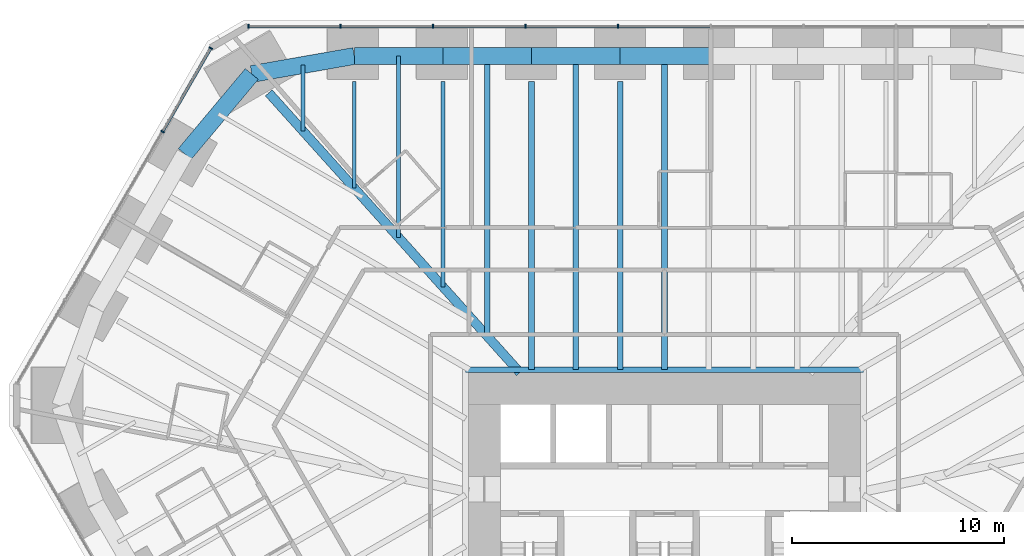
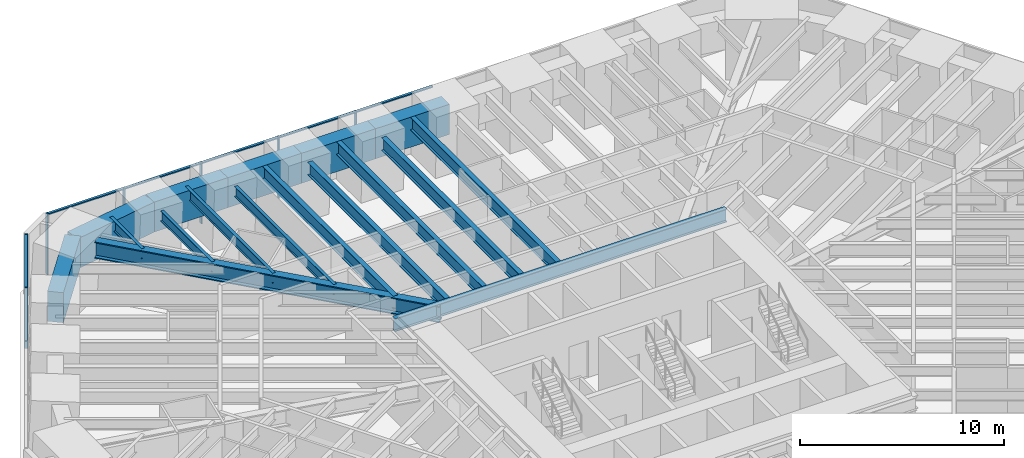
# One storey, part 8 of 17: 17 beams, 13 members, 2 elements without a shape of their own.
"""IFC4 building model written with IfcOpenShell, lengths in metres."""

from ifc_helpers import new_model, si_unit, direction, frame, origin, origin_2d, place, context, subcontext, project, spatial, rectangle, i_section, extrude, material, material_profile, profile_set, type_object, element, aggregate, save


model = new_model("IFC4")

# Units and contexts
model_context = context("Model", 3, precision=1e-05, world=origin(), true_north=direction((0.0, 1.0)))
body_context = subcontext(model_context, "Body", "Model", "MODEL_VIEW")
ifc_project = project(units=[si_unit("LENGTHUNIT", "METRE"), si_unit("AREAUNIT", "SQUARE_METRE"), si_unit("VOLUMEUNIT", "CUBIC_METRE"), si_unit("PLANEANGLEUNIT", "RADIAN"), si_unit("MASSUNIT", "GRAM", prefix="KILO")], contexts=[model_context])

# Site, building, storey
site_placement = place(None, origin())
site = spatial("IfcSite", under=ifc_project, at=site_placement, CompositionType="ELEMENT")
building_placement = place(site_placement, origin())
building = spatial("IfcBuilding", under=site, at=building_placement, Name="Sandreach Pilgrim Tower", CompositionType="ELEMENT")
storey_placement = place(building_placement, frame((0.0, 0.0, 57.199951171875)))
storey = spatial("IfcBuildingStorey", under=building, at=storey_placement, Name="L13", CompositionType="ELEMENT", Elevation=57.199951171875)

# Curtain wall, members
ifc_material_1 = material(Name="Aluminium framed curtain wall", Category="aluminium")
curtain_wall_type = type_object("IfcCurtainWallType", Name="Hostel tower curtain wall", PredefinedType="NOTDEFINED", material=ifc_material_1)
curtain_wall_1_placement = place(storey_placement, origin())
curtain_wall_1 = element("IfcCurtainWall", 1, at=curtain_wall_1_placement, inside=storey, type_object=curtain_wall_type, Name="CW-1 L13 N", PredefinedType="NOTDEFINED")
ifc_material_2 = material(Name="Aluminium extrusion", Category="aluminium")
ifc_material_profile_1 = material_profile(ifc_material_2, rectangle(XDim=0.06494140625, YDim=0.179931640625, at=origin_2d()), Name="CW-1M 65X180")
ifc_profile_set_1 = profile_set([ifc_material_profile_1], Name="Aluminium extrusion")
member_type_1 = type_object("IfcMemberType", Name="CW-1 mullion", PredefinedType="MULLION", material=ifc_profile_set_1)
member_1_placement = place(storey_placement, frame((-19.6396484375, 23.94873046875, 0.0), z_axis=(0.0, 0.0, 1.0), x_axis=(1.0, 0.0, 0.0)))
member_1 = element("IfcMember", 2, at=member_1_placement, type_object=member_type_1, Name="CW-1 mullion 1", PredefinedType="MULLION", context=body_context, shape_type="SweptSolid", body=[
    extrude(rectangle(XDim=0.06494140625, YDim=0.179931640625, at=origin_2d()), origin(), (0.0, 0.0, 1.0), 3.64013671875),
])
member_2_placement = place(storey_placement, frame((-15.300537109375, 23.94873046875, 0.0), z_axis=(0.0, 0.0, 1.0), x_axis=(1.0, 0.0, 0.0)))
member_2 = element("IfcMember", 3, at=member_2_placement, type_object=member_type_1, Name="CW-1 mullion 2", PredefinedType="MULLION", context=body_context, shape_type="SweptSolid", body=[
    extrude(rectangle(XDim=0.06494140625, YDim=0.179931640625, at=origin_2d()), origin(), (0.0, 0.0, 1.0), 3.64013671875),
])
member_3_placement = place(storey_placement, frame((-10.928955078125, 23.94873046875, 0.0), z_axis=(0.0, 0.0, 1.0), x_axis=(1.0, 0.0, 0.0)))
member_3 = element("IfcMember", 4, at=member_3_placement, type_object=member_type_1, Name="CW-1 mullion 3", PredefinedType="MULLION", context=body_context, shape_type="SweptSolid", body=[
    extrude(rectangle(XDim=0.06494140625, YDim=0.179931640625, at=origin_2d()), origin(), (0.0, 0.0, 1.0), 3.64013671875),
])
member_4_placement = place(storey_placement, frame((-6.557373046875, 23.94873046875, 0.0), z_axis=(0.0, 0.0, 1.0), x_axis=(1.0, 0.0, 0.0)))
member_4 = element("IfcMember", 5, at=member_4_placement, type_object=member_type_1, Name="CW-1 mullion 4", PredefinedType="MULLION", context=body_context, shape_type="SweptSolid", body=[
    extrude(rectangle(XDim=0.06494140625, YDim=0.179931640625, at=origin_2d()), origin(), (0.0, 0.0, 1.0), 3.64013671875),
])
member_5_placement = place(storey_placement, frame((-2.185791015625, 23.94873046875, 0.0), z_axis=(0.0, 0.0, 1.0), x_axis=(1.0, 0.0, 0.0)))
member_5 = element("IfcMember", 6, at=member_5_placement, type_object=member_type_1, Name="CW-1 mullion 5", PredefinedType="MULLION", context=body_context, shape_type="SweptSolid", body=[
    extrude(rectangle(XDim=0.06494140625, YDim=0.179931640625, at=origin_2d()), origin(), (0.0, 0.0, 1.0), 3.64013671875),
])

curtain_wall_2_placement = place(storey_placement, origin())
curtain_wall_2 = element("IfcCurtainWall", 7, at=curtain_wall_2_placement, inside=storey, type_object=curtain_wall_type, Name="CW-1 L13 NW", PredefinedType="NOTDEFINED")
member_6_placement = place(storey_placement, frame((-23.697265625, 18.97705078125, 0.0), z_axis=(0.0, 0.0, 1.0), x_axis=(0.5, 0.866025403784, 0.0)))
member_6 = element("IfcMember", 8, at=member_6_placement, type_object=member_type_1, Name="CW-1 mullion 4", PredefinedType="MULLION", context=body_context, shape_type="SweptSolid", body=[
    extrude(rectangle(XDim=0.06494140625, YDim=0.179931640625, at=origin_2d()), origin(), (0.0, 0.0, 1.0), 3.64013671875),
])
member_7_placement = place(storey_placement, frame((-21.42041015625, 22.920654296875, 0.0), z_axis=(0.0, 0.0, 1.0), x_axis=(0.5, 0.866025403784, 0.0)))
member_7 = element("IfcMember", 9, at=member_7_placement, type_object=member_type_1, Name="CW-1 mullion 5", PredefinedType="MULLION", context=body_context, shape_type="SweptSolid", body=[
    extrude(rectangle(XDim=0.06494140625, YDim=0.179931640625, at=origin_2d()), origin(), (0.0, 0.0, 1.0), 3.64013671875),
])

# Member
ifc_material_3 = material(Name="Aluminium extrusion", Category="aluminium")
ifc_material_profile_2 = material_profile(ifc_material_3, rectangle(XDim=0.139892578125, YDim=0.070068359375, at=origin_2d()), Name="CW-1T 140X70")
ifc_profile_set_2 = profile_set([ifc_material_profile_2], Name="Aluminium extrusion")
member_type_2 = type_object("IfcMemberType", Name="CW-1 transom", PredefinedType="USERDEFINED", material=ifc_profile_set_2)
member_8_placement = place(storey_placement, frame((-19.607177734375, 23.94873046875, 3.60498046875), z_axis=(1.0, 0.0, 0.0), x_axis=(0.0, 1.0, 0.0)))
member_8 = element("IfcMember", 10, at=member_8_placement, type_object=member_type_2, Name="CW-1 head transom 1", ObjectType="TRANSOM", PredefinedType="USERDEFINED", context=body_context, shape_type="SweptSolid", body=[
    extrude(rectangle(XDim=0.139892578125, YDim=0.070068359375, at=origin_2d()), origin(), (0.0, 0.0, 1.0), 4.274169921875),
])

member_9_placement = place(storey_placement, frame((-15.26806640625, 23.94873046875, 3.60498046875), z_axis=(1.0, 0.0, 0.0), x_axis=(0.0, 1.0, 0.0)))
member_9 = element("IfcMember", 11, at=member_9_placement, type_object=member_type_2, Name="CW-1 head transom 2", ObjectType="TRANSOM", PredefinedType="USERDEFINED", context=body_context, shape_type="SweptSolid", body=[
    extrude(rectangle(XDim=0.139892578125, YDim=0.070068359375, at=origin_2d()), origin(), (0.0, 0.0, 1.0), 4.306640625),
])

member_10_placement = place(storey_placement, frame((-10.896484375, 23.94873046875, 3.60498046875), z_axis=(1.0, 0.0, 0.0), x_axis=(0.0, 1.0, 0.0)))
member_10 = element("IfcMember", 12, at=member_10_placement, type_object=member_type_2, Name="CW-1 head transom 3", ObjectType="TRANSOM", PredefinedType="USERDEFINED", context=body_context, shape_type="SweptSolid", body=[
    extrude(rectangle(XDim=0.139892578125, YDim=0.070068359375, at=origin_2d()), origin(), (0.0, 0.0, 1.0), 4.306640625),
])

member_11_placement = place(storey_placement, frame((-6.52490234375, 23.94873046875, 3.60498046875), z_axis=(1.0, 0.0, 0.0), x_axis=(0.0, 1.0, 0.0)))
member_11 = element("IfcMember", 13, at=member_11_placement, type_object=member_type_2, Name="CW-1 head transom 4", ObjectType="TRANSOM", PredefinedType="USERDEFINED", context=body_context, shape_type="SweptSolid", body=[
    extrude(rectangle(XDim=0.139892578125, YDim=0.070068359375, at=origin_2d()), origin(), (0.0, 0.0, 1.0), 4.306640625),
])

member_12_placement = place(storey_placement, frame((-2.1533203125, 23.94873046875, 3.60498046875), z_axis=(1.0, 0.0, 0.0), x_axis=(0.0, 1.0, 0.0)))
member_12 = element("IfcMember", 14, at=member_12_placement, type_object=member_type_2, Name="CW-1 head transom 5", ObjectType="TRANSOM", PredefinedType="USERDEFINED", context=body_context, shape_type="SweptSolid", body=[
    extrude(rectangle(XDim=0.139892578125, YDim=0.070068359375, at=origin_2d()), origin(), (0.0, 0.0, 1.0), 4.306640625),
])

aggregate(curtain_wall_1, [member_1, member_2, member_3, member_4, member_5, member_8, member_9, member_10, member_11, member_12])

member_13_placement = place(storey_placement, frame((-23.680908203125, 19.005126953125, 3.60498046875), z_axis=(0.500017500808, 0.866015299452, 0.0), x_axis=(-0.866015299452, 0.500017500808, 0.0)))
member_13 = element("IfcMember", 15, at=member_13_placement, type_object=member_type_2, Name="CW-1 head transom 4", ObjectType="TRANSOM", PredefinedType="USERDEFINED", context=body_context, shape_type="SweptSolid", body=[
    extrude(rectangle(XDim=0.139892578125, YDim=0.070068359375, at=origin_2d()), origin(), (0.0, 0.0, 1.0), 4.488525390625),
])

aggregate(curtain_wall_2, [member_6, member_7, member_13])

# Beams
ifc_material_4 = material(Name="Steel ASTM A992 Grade 50", Category="steel")
ifc_material_profile_3 = material_profile(ifc_material_4, i_section(OverallWidth=0.2666015625, OverallDepth=0.77978515625, WebThickness=0.0166015625, FlangeThickness=0.030029296875, at=origin_2d()), Name="W30X148")
ifc_profile_set_3 = profile_set([ifc_material_profile_3], Name="Steel ASTM A992 Grade 50")
beam_type_1 = type_object("IfcBeamType", Name="Core edge beam W30X148", PredefinedType="BEAM", material=ifc_profile_set_3)
beam_1_placement = place(storey_placement, frame((-9.393310546875, 7.743408203125, 3.250244140625), z_axis=(1.0, 0.0, 0.0), x_axis=(0.0, 1.0, 0.0)))
element("IfcBeam", 16, at=beam_1_placement, inside=storey, type_object=beam_type_1, Name="BM L13 CEN", PredefinedType="BEAM", context=body_context, shape_type="SweptSolid", body=[
    extrude(i_section(OverallWidth=0.2666015625, OverallDepth=0.77978515625, WebThickness=0.0166015625, FlangeThickness=0.030029296875, at=origin_2d()), origin(), (0.0, 0.0, 1.0), 18.78662109375),
])
ifc_material_5 = material(Name="Steel ASTM A992 Grade 50", Category="steel")
ifc_material_profile_4 = material_profile(ifc_material_5, i_section(OverallWidth=0.431884765625, OverallDepth=0.988037109375, WebThickness=0.034423828125, FlangeThickness=0.06201171875, at=origin_2d()), Name="W36X441")
ifc_profile_set_4 = profile_set([ifc_material_profile_4], Name="Steel ASTM A992 Grade 50")
beam_type_2 = type_object("IfcBeamType", Name="Corner girder W36X441", PredefinedType="BEAM", material=ifc_profile_set_4)
beam_2_placement = place(storey_placement, frame((-18.68310546875, 20.806640625, 3.14599609375), z_axis=(0.668123819585, -0.744050106984, 0.0), x_axis=(0.744050106984, 0.668123819585, 0.0)))
element("IfcBeam", 17, at=beam_2_placement, inside=storey, type_object=beam_type_2, Name="BM L13 CG39", PredefinedType="BEAM", context=body_context, shape_type="SweptSolid", body=[
    extrude(i_section(OverallWidth=0.431884765625, OverallDepth=0.988037109375, WebThickness=0.034423828125, FlangeThickness=0.06201171875, at=origin_2d()), origin(), (0.0, 0.0, 1.0), 17.74951171875),
])
ifc_material_6 = material(Name="Steel ASTM A992 Grade 50", Category="steel")
ifc_material_profile_5 = material_profile(ifc_material_6, i_section(OverallWidth=0.1787109375, OverallDepth=0.60205078125, WebThickness=0.010986328125, FlangeThickness=0.014892578125, at=origin_2d()), Name="W24X62")
ifc_profile_set_5 = profile_set([ifc_material_profile_5], Name="Steel ASTM A992 Grade 50")
beam_type_3 = type_object("IfcBeamType", Name="Floor beam W24X62", PredefinedType="BEAM", material=ifc_profile_set_5)
beam_3_placement = place(storey_placement, frame((-14.64404296875, 21.34912109375, 3.339111328125), z_axis=(0.0, -1.0, 0.0), x_axis=(1.0, 0.0, 0.0)))
element("IfcBeam", 18, at=beam_3_placement, inside=storey, type_object=beam_type_3, Name="BM L13 F01", PredefinedType="BEAM", context=body_context, shape_type="SweptSolid", body=[
    extrude(i_section(OverallWidth=0.1787109375, OverallDepth=0.60205078125, WebThickness=0.010986328125, FlangeThickness=0.014892578125, at=origin_2d()), origin(), (0.0, 0.0, 1.0), 5.04052734375),
])
beam_4_placement = place(storey_placement, frame((-10.4599609375, 21.34912109375, 3.339111328125), z_axis=(0.0, -1.0, 0.0), x_axis=(1.0, 0.0, 0.0)))
element("IfcBeam", 19, at=beam_4_placement, inside=storey, type_object=beam_type_3, Name="BM L13 F02", PredefinedType="BEAM", context=body_context, shape_type="SweptSolid", body=[
    extrude(i_section(OverallWidth=0.1787109375, OverallDepth=0.60205078125, WebThickness=0.010986328125, FlangeThickness=0.014892578125, at=origin_2d()), origin(), (0.0, 0.0, 1.0), 9.7001953125),
])
beam_5_placement = place(storey_placement, frame((-12.552001953125, 22.549072265625, 3.339111328125), z_axis=(0.0, -1.0, 0.0), x_axis=(1.0, 0.0, 0.0)))
element("IfcBeam", 20, at=beam_5_placement, inside=storey, type_object=beam_type_3, Name="BM L13 FM01", PredefinedType="BEAM", context=body_context, shape_type="SweptSolid", body=[
    extrude(i_section(OverallWidth=0.1787109375, OverallDepth=0.60205078125, WebThickness=0.010986328125, FlangeThickness=0.014892578125, at=origin_2d()), origin(), (0.0, 0.0, 1.0), 8.5703125),
])
beam_6_placement = place(storey_placement, frame((-17.064453125, 22.124267578125, 3.339111328125), z_axis=(0.0, -1.0, 0.0), x_axis=(1.0, 0.0, 0.0)))
element("IfcBeam", 21, at=beam_6_placement, inside=storey, type_object=beam_type_3, Name="BM L13 FM39", PredefinedType="BEAM", context=body_context, shape_type="SweptSolid", body=[
    extrude(i_section(OverallWidth=0.1787109375, OverallDepth=0.60205078125, WebThickness=0.010986328125, FlangeThickness=0.014892578125, at=origin_2d()), origin(), (0.0, 0.0, 1.0), 3.120361328125),
])
ifc_material_7 = material(Name="Steel ASTM A992 Grade 50", Category="steel")
ifc_material_profile_6 = material_profile(ifc_material_7, i_section(OverallWidth=0.2666015625, OverallDepth=0.761962890625, WebThickness=0.014404296875, FlangeThickness=0.021484375, at=origin_2d()), Name="W30X116")
ifc_profile_set_6 = profile_set([ifc_material_profile_6], Name="Steel ASTM A992 Grade 50")
beam_type_4 = type_object("IfcBeamType", Name="Floor beam W30X116", PredefinedType="BEAM", material=ifc_profile_set_6)
for number, where, z_axis, x_axis, name in (
    (22, (-6.276123046875, 21.34912109375, 3.259033203125), (0.0, -1.0, 0.0), (1.0, 0.0, 0.0), "BM L13 F03"),
    (23, (-2.092041015625, 21.34912109375, 3.259033203125), (0.0, -1.0, 0.0), (1.0, 0.0, 0.0), "BM L13 F04"),
):
    element("IfcBeam", number, at=place(storey_placement, frame(where, z_axis=z_axis, x_axis=x_axis)), inside=storey, type_object=beam_type_4, Name=name, PredefinedType="BEAM", context=body_context, shape_type="SweptSolid", body=[
        extrude(i_section(OverallWidth=0.2666015625, OverallDepth=0.761962890625, WebThickness=0.014404296875, FlangeThickness=0.021484375, at=origin_2d()), origin(), (0.0, 0.0, 1.0), 13.605712890625),
    ])
beam_7_placement = place(storey_placement, frame((-8.367919921875, 22.549072265625, 3.259033203125), z_axis=(0.0, -1.0, 0.0), x_axis=(1.0, 0.0, 0.0)))
element("IfcBeam", 24, at=beam_7_placement, inside=storey, type_object=beam_type_4, Name="BM L13 FM02", PredefinedType="BEAM", context=body_context, shape_type="SweptSolid", body=[
    extrude(i_section(OverallWidth=0.2666015625, OverallDepth=0.761962890625, WebThickness=0.014404296875, FlangeThickness=0.021484375, at=origin_2d()), origin(), (0.0, 0.0, 1.0), 13.22998046875),
])
for number, where, z_axis, x_axis, name in (
    (25, (-4.18408203125, 22.549072265625, 3.259033203125), (0.0, -1.0, 0.0), (1.0, 0.0, 0.0), "BM L13 FM03"),
    (26, (0.0, 22.549072265625, 3.259033203125), (0.0, -1.0, 0.0), (1.0, 0.0, 0.0), "BM L13 FM04"),
):
    element("IfcBeam", number, at=place(storey_placement, frame(where, z_axis=z_axis, x_axis=x_axis)), inside=storey, type_object=beam_type_4, Name=name, PredefinedType="BEAM", context=body_context, shape_type="SweptSolid", body=[
        extrude(i_section(OverallWidth=0.2666015625, OverallDepth=0.761962890625, WebThickness=0.014404296875, FlangeThickness=0.021484375, at=origin_2d()), origin(), (0.0, 0.0, 1.0), 14.8056640625),
    ])
ifc_material_8 = material(Name="Concrete 10000 psi", Category="concrete")
ifc_material_profile_7 = material_profile(ifc_material_8, rectangle(XDim=0.800048828125, YDim=1.800048828125, at=origin_2d()), Name="RC800X1800")
ifc_profile_set_7 = profile_set([ifc_material_profile_7], Name="Concrete 10000 psi")
beam_type_5 = type_object("IfcBeamType", Name="Spandrel beam RC800X1800", PredefinedType="SPANDREL", material=ifc_profile_set_7)
beam_8_placement = place(storey_placement, frame((-14.64404296875, 22.549072265625, 2.739990234375), z_axis=(1.0, 0.0, 0.0), x_axis=(0.0, 1.0, 0.0)))
element("IfcBeam", 27, at=beam_8_placement, inside=storey, type_object=beam_type_5, Name="BM L13 SP01", PredefinedType="SPANDREL", context=body_context, shape_type="SweptSolid", body=[
    extrude(rectangle(XDim=0.800048828125, YDim=1.800048828125, at=origin_2d()), origin(), (0.0, 0.0, 1.0), 4.18408203125),
])
beam_9_placement = place(storey_placement, frame((-10.4599609375, 22.549072265625, 2.739990234375), z_axis=(1.0, 0.0, 0.0), x_axis=(0.0, 1.0, 0.0)))
element("IfcBeam", 28, at=beam_9_placement, inside=storey, type_object=beam_type_5, Name="BM L13 SP02", PredefinedType="SPANDREL", context=body_context, shape_type="SweptSolid", body=[
    extrude(rectangle(XDim=0.800048828125, YDim=1.800048828125, at=origin_2d()), origin(), (0.0, 0.0, 1.0), 4.183837890625),
])
for number, where, z_axis, x_axis, name in (
    (29, (-6.276123046875, 22.549072265625, 2.739990234375), (1.0, 0.0, 0.0), (0.0, 1.0, 0.0), "BM L13 SP03"),
    (30, (-2.092041015625, 22.549072265625, 2.739990234375), (1.0, 0.0, 0.0), (0.0, 1.0, 0.0), "BM L13 SP04"),
):
    element("IfcBeam", number, at=place(storey_placement, frame(where, z_axis=z_axis, x_axis=x_axis)), inside=storey, type_object=beam_type_5, Name=name, PredefinedType="SPANDREL", context=body_context, shape_type="SweptSolid", body=[
        extrude(rectangle(XDim=0.800048828125, YDim=1.800048828125, at=origin_2d()), origin(), (0.0, 0.0, 1.0), 4.18408203125),
    ])
beam_10_placement = place(storey_placement, frame((-22.6494140625, 17.922607421875, 2.739990234375), z_axis=(0.642238745874, 0.766504659672, 0.0), x_axis=(-0.766504659672, 0.642238745874, 0.0)))
element("IfcBeam", 31, at=beam_10_placement, inside=storey, type_object=beam_type_5, Name="BM L13 SP38", PredefinedType="SPANDREL", context=body_context, shape_type="SweptSolid", body=[
    extrude(rectangle(XDim=0.800048828125, YDim=1.800048828125, at=origin_2d()), origin(), (0.0, 0.0, 1.0), 4.927490234375),
])
beam_11_placement = place(storey_placement, frame((-19.48486328125, 21.699462890625, 2.739990234375), z_axis=(0.984945156225, 0.172867114367, 0.0), x_axis=(-0.172867114367, 0.984945156225, 0.0)))
element("IfcBeam", 32, at=beam_11_placement, inside=storey, type_object=beam_type_5, Name="BM L13 SP39", PredefinedType="SPANDREL", context=body_context, shape_type="SweptSolid", body=[
    extrude(rectangle(XDim=0.800048828125, YDim=1.800048828125, at=origin_2d()), origin(), (0.0, 0.0, 1.0), 4.914794921875),
])

save(model, "model.ifc")
